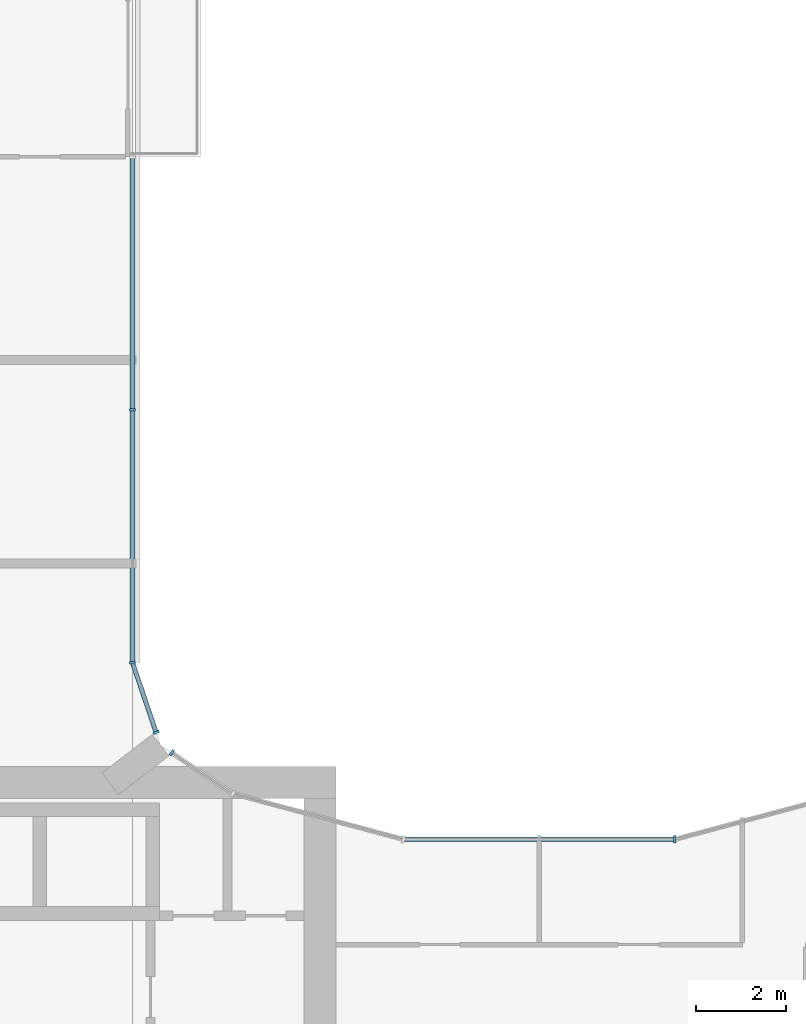
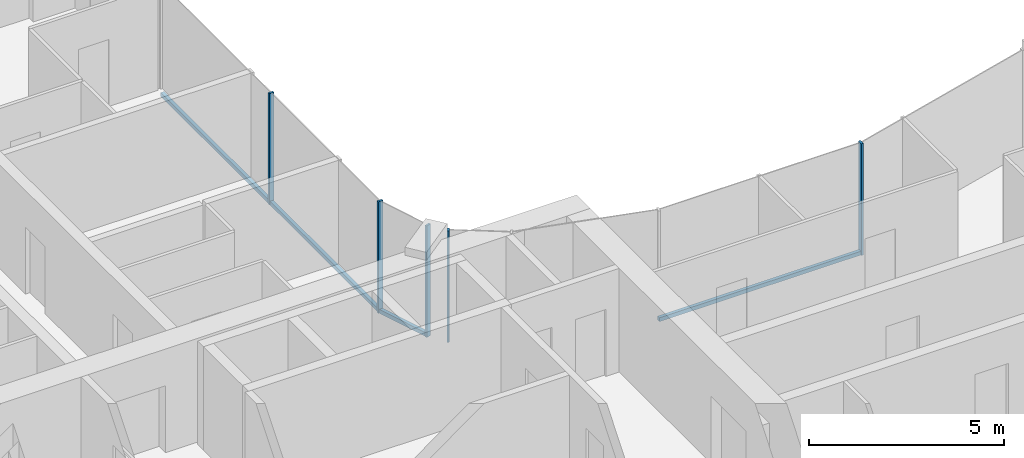
# One storey, part 4 of 23: 8 members, 4 elements without a shape of their own.
"""IFC4 building model written with IfcOpenShell, lengths in metres."""

from ifc_helpers import new_model, si_unit, direction, frame, origin, origin_2d, place, context, subcontext, project, spatial, rectangle, extrude, material, layer, layer_set, material_profile, profile_set, type_object, element, aggregate, save


model = new_model("IFC4")

# Units and contexts
model_context = context("Model", 3, precision=1e-05, world=origin(), true_north=direction((0.0, 1.0)))
body_context = subcontext(model_context, "Body", "Model", "MODEL_VIEW")
ifc_project = project(units=[si_unit("LENGTHUNIT", "METRE"), si_unit("AREAUNIT", "SQUARE_METRE"), si_unit("VOLUMEUNIT", "CUBIC_METRE"), si_unit("PLANEANGLEUNIT", "RADIAN"), si_unit("MASSUNIT", "GRAM", prefix="KILO")], contexts=[model_context])

# Site, building, storey
site_placement = place(None, origin())
site = spatial("IfcSite", under=ifc_project, at=site_placement, CompositionType="ELEMENT")
building_placement = place(site_placement, origin())
building = spatial("IfcBuilding", under=site, at=building_placement, Name="Plateau Cross Towers", CompositionType="ELEMENT")
storey_placement = place(building_placement, frame((0.0, 0.0, 92.300048828125)))
storey = spatial("IfcBuildingStorey", under=building, at=storey_placement, Name="L23", CompositionType="ELEMENT", Elevation=92.300048828125)

# Curtain wall, member
ifc_material_1 = material(Name="Dark low-iron glass", Category="glass")
ifc_layer_1 = layer(ifc_material_1, 0.239990234375)
ifc_layer_set_1 = layer_set([ifc_layer_1], Name="Dark low-iron glass")
curtain_wall_type_1 = type_object("IfcCurtainWallType", Name="Curtain wall flush unitised CW-B", PredefinedType="NOTDEFINED", material=ifc_layer_set_1)
curtain_wall_1_placement = place(storey_placement, origin())
curtain_wall_1 = element("IfcCurtainWall", 1, at=curtain_wall_1_placement, inside=storey, type_object=curtain_wall_type_1, Name="ENV/A/L23/A202_174", PredefinedType="NOTDEFINED")
ifc_material_2 = material(Name="Black anodised aluminium", Category="aluminium")
ifc_material_profile_1 = material_profile(ifc_material_2, rectangle(XDim=0.06005859375, YDim=0.139892578125, at=origin_2d()), Name="MULLION 60x140")
ifc_profile_set_1 = profile_set([ifc_material_profile_1], Name="Black anodised aluminium")
member_type_1 = type_object("IfcMemberType", Name="Mullion 60x140 flush unitised", PredefinedType="MULLION", material=ifc_profile_set_1)
member_1_placement = place(storey_placement, frame((18.86962890625, 18.30908203125, -0.25), z_axis=(0.0, 0.0, 1.0), x_axis=(-0.831521253329, 0.555492938984, 0.0)))
member_1 = element("IfcMember", 2, at=member_1_placement, type_object=member_type_1, Name="CW-B mullion 2", PredefinedType="MULLION", context=body_context, shape_type="SweptSolid", body=[
    extrude(rectangle(XDim=0.06005859375, YDim=0.139892578125, at=origin_2d()), origin(), (0.0, 0.0, 1.0), 3.5),
])
aggregate(curtain_wall_1, [member_1])

curtain_wall_2_placement = place(storey_placement, origin())
curtain_wall_2 = element("IfcCurtainWall", 3, at=curtain_wall_2_placement, inside=storey, type_object=curtain_wall_type_1, Name="ENV/A/L23/A185_188", PredefinedType="NOTDEFINED")
member_2_placement = place(storey_placement, frame((18.523681640625, 18.760009765625, -0.25), z_axis=(0.0, 0.0, 1.0), x_axis=(-0.321469161574, 0.94692004845, 0.0)))
member_2 = element("IfcMember", 4, at=member_2_placement, type_object=member_type_1, Name="CW-B mullion 1", PredefinedType="MULLION", context=body_context, shape_type="SweptSolid", body=[
    extrude(rectangle(XDim=0.06005859375, YDim=0.139892578125, at=origin_2d()), origin(), (0.0, 0.0, 1.0), 3.5),
])

# Curtain wall, members
curtain_wall_3_placement = place(storey_placement, origin())
curtain_wall_3 = element("IfcCurtainWall", 5, at=curtain_wall_3_placement, inside=storey, type_object=curtain_wall_type_1, Name="ENV/A/L23/A180_203", PredefinedType="NOTDEFINED")
member_3_placement = place(storey_placement, frame((18.0, 20.30224609375, -0.25), z_axis=(0.0, 0.0, 1.0), x_axis=(0.0, 1.0, 0.0)))
member_3 = element("IfcMember", 6, at=member_3_placement, type_object=member_type_1, Name="CW-B mullion 1", PredefinedType="MULLION", context=body_context, shape_type="SweptSolid", body=[
    extrude(rectangle(XDim=0.06005859375, YDim=0.139892578125, at=origin_2d()), origin(), (0.0, 0.0, 1.0), 3.5),
])
member_4_placement = place(storey_placement, frame((18.0, 25.896240234375, -0.25), z_axis=(0.0, 0.0, 1.0), x_axis=(0.0, 1.0, 0.0)))
member_4 = element("IfcMember", 7, at=member_4_placement, type_object=member_type_1, Name="CW-B mullion 2", PredefinedType="MULLION", context=body_context, shape_type="SweptSolid", body=[
    extrude(rectangle(XDim=0.06005859375, YDim=0.139892578125, at=origin_2d()), origin(), (0.0, 0.0, 1.0), 3.5),
])

# Curtain wall, member
ifc_layer_2 = layer(ifc_material_1, 0.260009765625)
ifc_layer_set_2 = layer_set([ifc_layer_2], Name="Dark low-iron glass")
curtain_wall_type_2 = type_object("IfcCurtainWallType", Name="Curtain wall fluted unitised CW-A", PredefinedType="NOTDEFINED", material=ifc_layer_set_2)
curtain_wall_4_placement = place(storey_placement, origin())
curtain_wall_4 = element("IfcCurtainWall", 8, at=curtain_wall_4_placement, inside=storey, type_object=curtain_wall_type_2, Name="ENV/A/L23/A300_164", PredefinedType="NOTDEFINED")
ifc_material_profile_2 = material_profile(ifc_material_2, rectangle(XDim=0.06005859375, YDim=0.159912109375, at=origin_2d()), Name="MULLION 60x160")
ifc_profile_set_2 = profile_set([ifc_material_profile_2], Name="Black anodised aluminium")
member_type_2 = type_object("IfcMemberType", Name="Mullion 60x160 fluted unitised", PredefinedType="MULLION", material=ifc_profile_set_2)
member_5_placement = place(storey_placement, frame((30.0, 16.39306640625, -0.25), z_axis=(0.0, 0.0, 1.0), x_axis=(-1.0, 0.0, 0.0)))
member_5 = element("IfcMember", 9, at=member_5_placement, type_object=member_type_2, Name="CW-A mullion 1", PredefinedType="MULLION", context=body_context, shape_type="SweptSolid", body=[
    extrude(rectangle(XDim=0.06005859375, YDim=0.159912109375, at=origin_2d()), origin(), (0.0, 0.0, 1.0), 3.5),
])

# Member
ifc_material_profile_3 = material_profile(ifc_material_2, rectangle(XDim=0.10009765625, YDim=0.1201171875, at=origin_2d()), Name="TRANSOM 100x120")
ifc_profile_set_3 = profile_set([ifc_material_profile_3], Name="Black anodised aluminium")
member_type_3 = type_object("IfcMemberType", Name="Transom 100x120 flush unitised", PredefinedType="USERDEFINED", material=ifc_profile_set_3)
member_6_placement = place(storey_placement, frame((18.523681640625, 18.760009765625, -0.18994140625), z_axis=(-0.321529174838, 0.946899672472, 0.0), x_axis=(-0.946899672472, -0.321529174838, 0.0)))
member_6 = element("IfcMember", 10, at=member_6_placement, type_object=member_type_3, Name="CW-B transom", ObjectType="TRANSOM", PredefinedType="USERDEFINED", context=body_context, shape_type="SweptSolid", body=[
    extrude(rectangle(XDim=0.10009765625, YDim=0.1201171875, at=origin_2d()), origin(), (0.0, 0.0, 1.0), 1.628662109375),
])

aggregate(curtain_wall_2, [member_2, member_6])

member_7_placement = place(storey_placement, frame((18.0, 20.30224609375, -0.18994140625), z_axis=(0.0, 1.0, 0.0), x_axis=(-1.0, 0.0, 0.0)))
member_7 = element("IfcMember", 11, at=member_7_placement, type_object=member_type_3, Name="CW-B transom", ObjectType="TRANSOM", PredefinedType="USERDEFINED", context=body_context, shape_type="SweptSolid", body=[
    extrude(rectangle(XDim=0.10009765625, YDim=0.1201171875, at=origin_2d()), origin(), (0.0, 0.0, 1.0), 11.187744140625),
])

aggregate(curtain_wall_3, [member_3, member_4, member_7])

ifc_material_profile_4 = material_profile(ifc_material_2, rectangle(XDim=0.10009765625, YDim=0.1201171875, at=origin_2d()), Name="TRANSOM 100x120")
ifc_profile_set_4 = profile_set([ifc_material_profile_4], Name="Black anodised aluminium")
member_type_4 = type_object("IfcMemberType", Name="Transom 100x120 fluted unitised", PredefinedType="USERDEFINED", material=ifc_profile_set_4)
member_8_placement = place(storey_placement, frame((30.0, 16.39306640625, -0.18994140625), z_axis=(-1.0, 0.0, 0.0), x_axis=(0.0, -1.0, 0.0)))
member_8 = element("IfcMember", 12, at=member_8_placement, type_object=member_type_4, Name="CW-A transom", ObjectType="TRANSOM", PredefinedType="USERDEFINED", context=body_context, shape_type="SweptSolid", body=[
    extrude(rectangle(XDim=0.10009765625, YDim=0.1201171875, at=origin_2d()), origin(), (0.0, 0.0, 1.0), 6.0),
])

aggregate(curtain_wall_4, [member_5, member_8])

save(model, "model.ifc")
